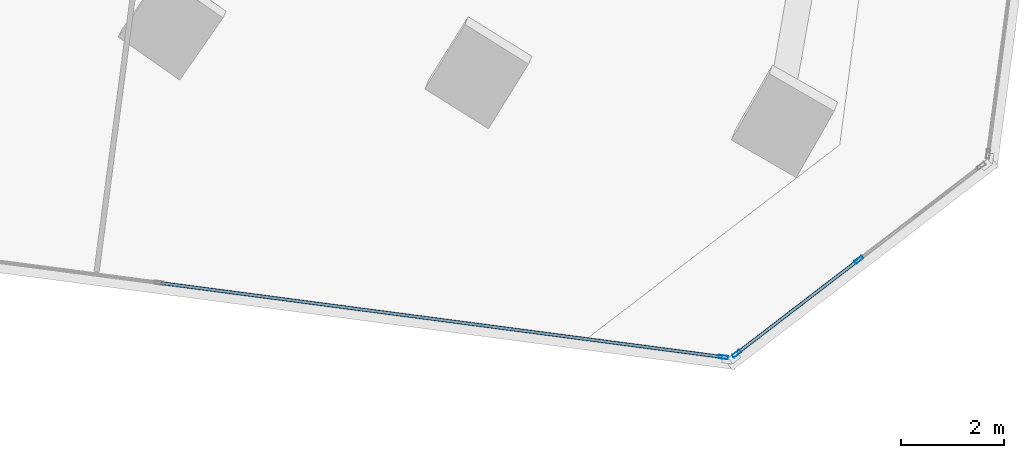
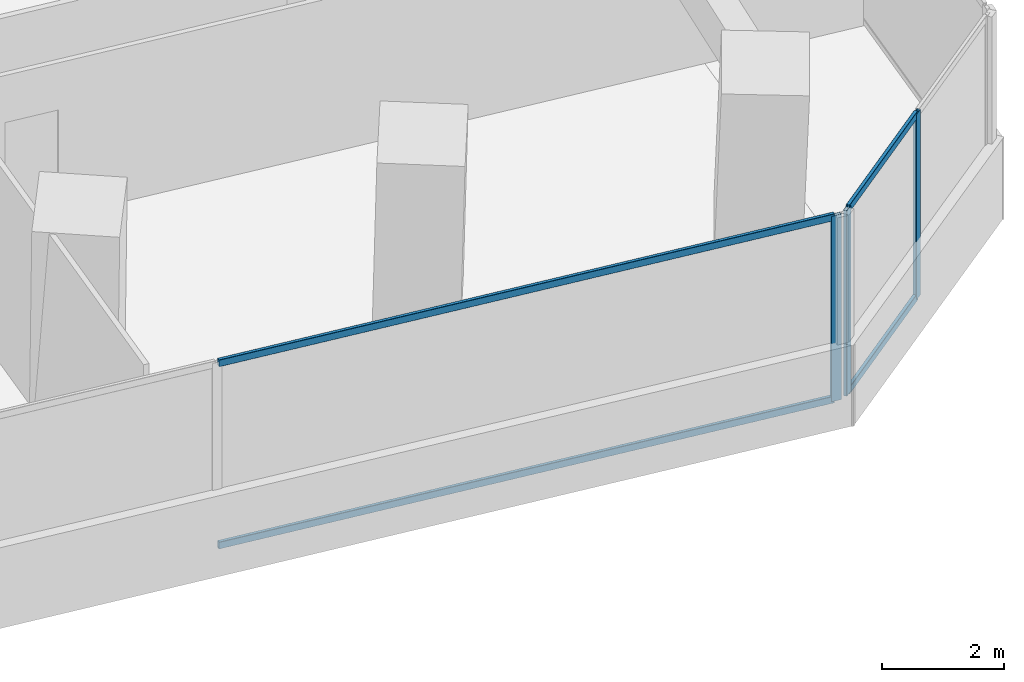
# One storey, part 9 of 24: 7 members, 2 elements without a shape of their own.
"""IFC4 building model written with IfcOpenShell, lengths in metres."""

from ifc_helpers import new_model, si_unit, direction, frame, origin, origin_2d, place, context, subcontext, project, spatial, hollow_rectangle, extrude, source, transform, mapped, material, material_profile, profile_set, type_object, element, aggregate, save


model = new_model("IFC4")

# Units and contexts
model_context = context("Model", 3, precision=1e-05, world=origin(), true_north=direction((0.0, 1.0)))
body_context = subcontext(model_context, "Body", "Model", "MODEL_VIEW")
ifc_project = project(units=[si_unit("LENGTHUNIT", "METRE"), si_unit("AREAUNIT", "SQUARE_METRE"), si_unit("VOLUMEUNIT", "CUBIC_METRE"), si_unit("PLANEANGLEUNIT", "RADIAN"), si_unit("MASSUNIT", "GRAM", prefix="KILO")], contexts=[model_context])

# Site, building, storey
site_placement = place(None, origin())
site = spatial("IfcSite", under=ifc_project, at=site_placement, CompositionType="ELEMENT")
building_placement = place(site_placement, origin())
building = spatial("IfcBuilding", under=site, at=building_placement, Name="Torre Montelarca", CompositionType="ELEMENT")
storey_placement = place(building_placement, frame((0.0, 0.0, 70.60009765625)))
storey = spatial("IfcBuildingStorey", under=building, at=storey_placement, Name="L15", CompositionType="ELEMENT", Elevation=70.60009765625)

# Curtain wall, members
ifc_material_1 = material(Name="Insulated low-E laminated glass", Category="glass")
curtain_wall_type = type_object("IfcCurtainWallType", Name="CW-SYS-Z1", PredefinedType="USERDEFINED", material=ifc_material_1)
curtain_wall_1_placement = place(storey_placement, origin())
curtain_wall_1 = element("IfcCurtainWall", 1, at=curtain_wall_1_placement, inside=storey, type_object=curtain_wall_type, Name="L15 Curtain Wall Run CW-T3-L15-E04-B1", ObjectType="UNITISED GLAZING", PredefinedType="USERDEFINED")
ifc_material_2 = material(Name="Anodised aluminium AA 6063-T6", Category="aluminium")
ifc_material_profile_1 = material_profile(ifc_material_2, hollow_rectangle(XDim=0.06494140625, YDim=0.139892578125, WallThickness=0.00390625, InnerFilletRadius=0.00390625, OuterFilletRadius=0.008056640625, at=origin_2d()), Name="ALU65X140X4", Category="aluminium")
ifc_profile_set_1 = profile_set([ifc_material_profile_1], Name="Anodised aluminium AA 6063-T6")
member_type_1 = type_object("IfcMemberType", Name="CWT-ALU140", PredefinedType="USERDEFINED", material=ifc_profile_set_1)
shared_shape_1 = source(origin(), body_context, "Body", "SweptSolid", [
    extrude(hollow_rectangle(XDim=0.06494140625, YDim=0.139892578125, WallThickness=0.00390625, InnerFilletRadius=0.00390625, OuterFilletRadius=0.008056640625, at=origin_2d()), origin(), (0.0, 0.0, 1.0), 10.94873046875),
])
member_1_placement = place(storey_placement, frame((46.207763671875, 14.959228515625, 0.032470703125), z_axis=(0.99144640037, -0.130514501852, 0.0), x_axis=(0.130514501852, 0.99144640037, 0.0)))
member_1 = element("IfcMember", 2, at=member_1_placement, type_object=member_type_1, Name="CW transom 2.1", ObjectType="TRANSOM", PredefinedType="USERDEFINED", context=body_context, shape_type="MappedRepresentation", body=[
    mapped(shared_shape_1, transform((0.0, 0.0, 0.0), scale=1.0)),
])
member_2_placement = place(storey_placement, frame((46.207763671875, 14.959228515625, 3.6875), z_axis=(0.99144640037, -0.130514501852, 0.0), x_axis=(0.130514501852, 0.99144640037, 0.0)))
member_2 = element("IfcMember", 3, at=member_2_placement, type_object=member_type_1, Name="CW transom 2.2", ObjectType="TRANSOM", PredefinedType="USERDEFINED", context=body_context, shape_type="MappedRepresentation", body=[
    mapped(shared_shape_1, transform((0.0, 0.0, 0.0), scale=1.0)),
])

curtain_wall_2_placement = place(storey_placement, origin())
curtain_wall_2 = element("IfcCurtainWall", 4, at=curtain_wall_2_placement, inside=storey, type_object=curtain_wall_type, Name="L15 Curtain Wall Run CW-T3-L15-E05-B1", ObjectType="UNITISED GLAZING", PredefinedType="USERDEFINED")
shared_shape_2 = source(origin(), body_context, "Body", "SweptSolid", [
    extrude(hollow_rectangle(XDim=0.06494140625, YDim=0.139892578125, WallThickness=0.00390625, InnerFilletRadius=0.00390625, OuterFilletRadius=0.008056640625, at=origin_2d()), origin(), (0.0, 0.0, 1.0), 2.9189453125),
])
member_3_placement = place(storey_placement, frame((57.37841796875, 13.61474609375, 0.032470703125), z_axis=(0.793357237782, 0.608756349666, 0.0), x_axis=(-0.608756349666, 0.793357237782, 0.0)))
member_3 = element("IfcMember", 5, at=member_3_placement, type_object=member_type_1, Name="CW transom 1.1", ObjectType="TRANSOM", PredefinedType="USERDEFINED", context=body_context, shape_type="MappedRepresentation", body=[
    mapped(shared_shape_2, transform((0.0, 0.0, 0.0), scale=1.0)),
])
member_4_placement = place(storey_placement, frame((57.37841796875, 13.61474609375, 3.6875), z_axis=(0.793357237782, 0.608756349666, 0.0), x_axis=(-0.608756349666, 0.793357237782, 0.0)))
member_4 = element("IfcMember", 6, at=member_4_placement, type_object=member_type_1, Name="CW transom 1.2", ObjectType="TRANSOM", PredefinedType="USERDEFINED", context=body_context, shape_type="MappedRepresentation", body=[
    mapped(shared_shape_2, transform((0.0, 0.0, 0.0), scale=1.0)),
])

# Member
ifc_material_profile_2 = material_profile(ifc_material_2, hollow_rectangle(XDim=0.06494140625, YDim=0.179931640625, WallThickness=0.00390625, InnerFilletRadius=0.00390625, OuterFilletRadius=0.008056640625, at=origin_2d()), Name="ALU65X180X4", Category="aluminium")
ifc_profile_set_2 = profile_set([ifc_material_profile_2], Name="Anodised aluminium AA 6063-T6")
member_type_2 = type_object("IfcMemberType", Name="CWM-ALU180", PredefinedType="MULLION", material=ifc_profile_set_2)
shared_shape_3 = source(origin(), body_context, "Body", "SweptSolid", [
    extrude(hollow_rectangle(XDim=0.06494140625, YDim=0.179931640625, WallThickness=0.00390625, InnerFilletRadius=0.00390625, OuterFilletRadius=0.008056640625, at=origin_2d()), origin(), (0.0, 0.0, 1.0), 3.719970703125),
])
member_5_placement = place(storey_placement, frame((57.094970703125, 13.52587890625, 0.0), z_axis=(0.0, 0.0, 1.0), x_axis=(0.130520668339, 0.991445588591, 0.0)))
member_5 = element("IfcMember", 7, at=member_5_placement, type_object=member_type_2, Name="CW mullion 3", PredefinedType="MULLION", context=body_context, shape_type="MappedRepresentation", body=[
    mapped(shared_shape_3, transform((0.0, 0.0, 0.0), scale=1.0)),
])

aggregate(curtain_wall_1, [member_5, member_1, member_2])

member_6_placement = place(storey_placement, frame((57.352783203125, 13.594970703125, 0.0), z_axis=(0.0, 0.0, 1.0), x_axis=(-0.608764194066, 0.793351218581, 0.0)))
member_6 = element("IfcMember", 8, at=member_6_placement, type_object=member_type_2, Name="CW mullion 1", PredefinedType="MULLION", context=body_context, shape_type="MappedRepresentation", body=[
    mapped(shared_shape_3, transform((0.0, 0.0, 0.0), scale=1.0)),
])

member_7_placement = place(storey_placement, frame((59.7197265625, 15.411376953125, 0.0), z_axis=(0.0, 0.0, 1.0), x_axis=(-0.608764194066, 0.793351218581, 0.0)))
member_7 = element("IfcMember", 9, at=member_7_placement, type_object=member_type_2, Name="CW mullion 2", PredefinedType="MULLION", context=body_context, shape_type="MappedRepresentation", body=[
    mapped(shared_shape_3, transform((0.0, 0.0, 0.0), scale=1.0)),
])

aggregate(curtain_wall_2, [member_6, member_7, member_3, member_4])

save(model, "model.ifc")
